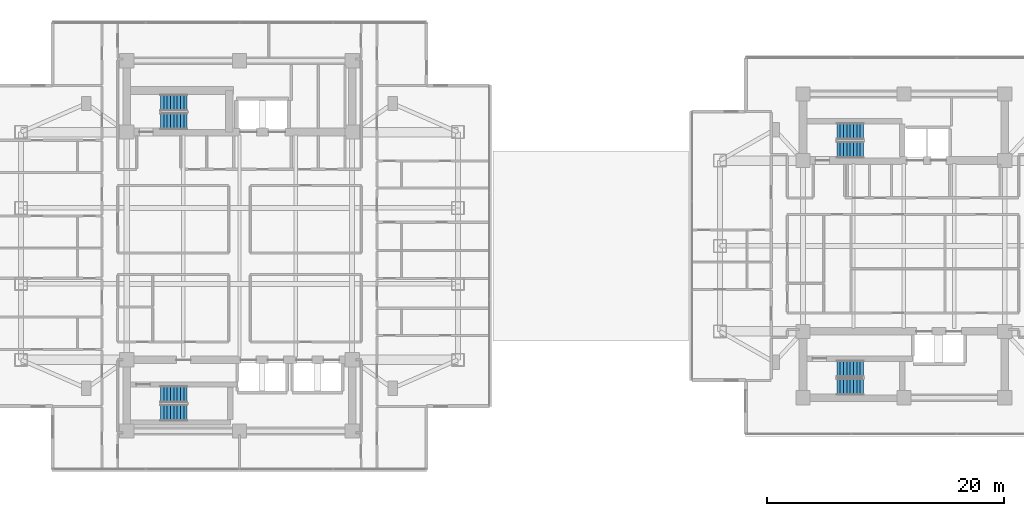
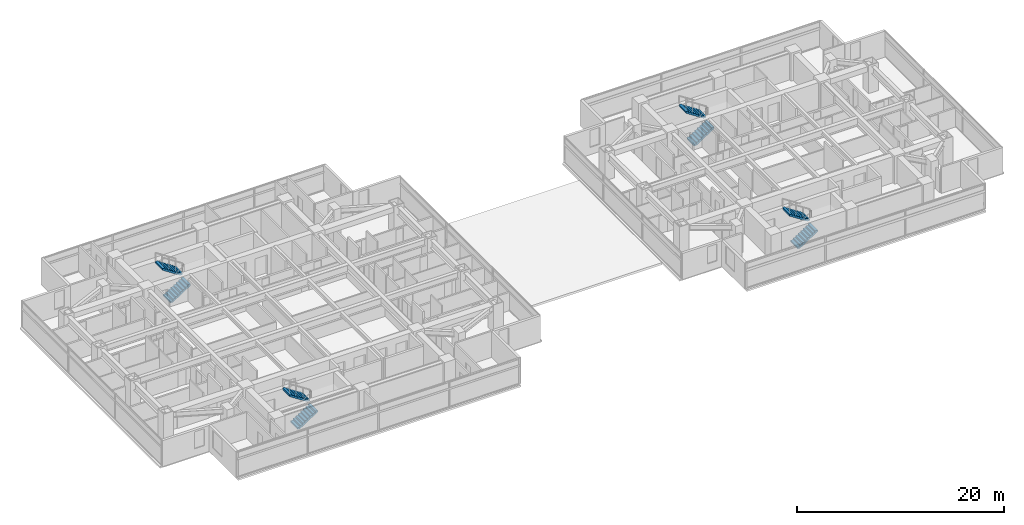
# One storey, part 20 of 26: 8 stair flights, 4 elements without a shape of their own.
"""IFC4 building model written with IfcOpenShell, lengths in metres."""

from ifc_helpers import new_model, si_unit, direction, frame, origin, place, context, subcontext, project, spatial, polyline, outline, extrude, material, type_object, element, aggregate, save


model = new_model("IFC4")

# Units and contexts
model_context = context("Model", 3, precision=1e-05, world=origin(), true_north=direction((0.0, 1.0)))
body_context = subcontext(model_context, "Body", "Model", "MODEL_VIEW")
ifc_project = project(units=[si_unit("LENGTHUNIT", "METRE"), si_unit("AREAUNIT", "SQUARE_METRE"), si_unit("VOLUMEUNIT", "CUBIC_METRE"), si_unit("PLANEANGLEUNIT", "RADIAN"), si_unit("MASSUNIT", "GRAM", prefix="KILO")], contexts=[model_context])

# Site, building, storey
site_placement = place(None, origin())
site = spatial("IfcSite", under=ifc_project, at=site_placement, CompositionType="ELEMENT")
building_placement = place(site_placement, origin())
building = spatial("IfcBuilding", under=site, at=building_placement, Name="Mirazonda Arch Towers", CompositionType="ELEMENT")
storey_placement = place(building_placement, frame((0.0, 0.0, 98.300048828125)))
storey = spatial("IfcBuildingStorey", under=building, at=storey_placement, Name="L27", CompositionType="ELEMENT", Elevation=98.300048828125)

# Stair, stair flights
ifc_material = material(Name="Concrete C40/50", Category="concrete")
stair_type = type_object("IfcStairType", Name="STAIR-CORE-1400", PredefinedType="HALF_TURN_STAIR", material=ifc_material)
stair_1_placement = place(storey_placement, origin())
stair_1 = element("IfcStair", 1, at=stair_1_placement, inside=storey, type_object=stair_type, Name="L27 Protected Exit Stair ST-T1N", PredefinedType="HALF_TURN_STAIR")
stair_flight_type = type_object("IfcStairFlightType", Name="FLIGHT-1400", PredefinedType="STRAIGHT", material=ifc_material)
stair_flight_1_placement = place(storey_placement, frame((13.85009765625, 38.52001953125, 0.0), z_axis=(0.0, 0.0, 1.0), x_axis=(1.0, 0.0, 0.0)))
stair_flight_1 = element("IfcStairFlight", 2, at=stair_flight_1_placement, type_object=stair_flight_type, Name="ST-T1N flight 1", NumberOfRisers=9, NumberOfTreads=8, PredefinedType="STRAIGHT", RiserHeight=0.183333333, TreadLength=0.28, context=body_context, shape_type="SweptSolid", body=[
    extrude(outline(polyline([(0.0, 0.0), (0.0, 0.183349609375), (0.280029296875, 0.183349609375), (0.280029296875, 0.36669921875), (0.56005859375, 0.36669921875), (0.56005859375, 0.550048828125), (0.840087890625, 0.550048828125), (0.840087890625, 0.7333984375), (1.1201171875, 0.7333984375), (1.1201171875, 0.916748046875), (1.39990234375, 0.916748046875), (1.39990234375, 1.10009765625), (1.679931640625, 1.10009765625), (1.679931640625, 1.283447265625), (1.9599609375, 1.283447265625), (1.9599609375, 1.466552734375), (2.239990234375, 1.466552734375), (2.239990234375, 1.64990234375), (2.239990234375, 1.275634765625), (0.2919921875, 0.0), (0.0, 0.0)])), frame((0.0, 0.699951171875, 0.0), z_axis=(0.0, -1.0, 0.0), x_axis=(1.0, 0.0, 0.0)), (0.0, 0.0, 1.0), 1.39990234375),
])
stair_flight_2_placement = place(storey_placement, frame((16.090087890625, 40.06005859375, 1.64990234375), z_axis=(0.0, 0.0, 1.0), x_axis=(-1.0, 0.0, 0.0)))
stair_flight_2 = element("IfcStairFlight", 3, at=stair_flight_2_placement, type_object=stair_flight_type, Name="ST-T1N flight 2", NumberOfRisers=9, NumberOfTreads=8, PredefinedType="STRAIGHT", RiserHeight=0.183333333, TreadLength=0.28, context=body_context, shape_type="SweptSolid", body=[
    extrude(outline(polyline([(0.0, 0.0), (0.0, 0.183349609375), (0.280029296875, 0.183349609375), (0.280029296875, 0.36669921875), (0.56005859375, 0.36669921875), (0.56005859375, 0.550048828125), (0.840087890625, 0.550048828125), (0.840087890625, 0.7333984375), (1.1201171875, 0.7333984375), (1.1201171875, 0.916748046875), (1.39990234375, 0.916748046875), (1.39990234375, 1.10009765625), (1.679931640625, 1.10009765625), (1.679931640625, 1.283447265625), (1.9599609375, 1.283447265625), (1.9599609375, 1.466552734375), (2.239990234375, 1.466552734375), (2.239990234375, 1.64990234375), (2.239990234375, 1.275634765625), (0.2919921875, 0.0), (0.0, 0.0)])), frame((0.0, 0.699951171875, 0.0), z_axis=(0.0, -1.0, 0.0), x_axis=(1.0, 0.0, 0.0)), (0.0, 0.0, 1.0), 1.39990234375),
])
aggregate(stair_1, [stair_flight_1, stair_flight_2])

stair_2_placement = place(storey_placement, origin())
stair_2 = element("IfcStair", 4, at=stair_2_placement, inside=storey, type_object=stair_type, Name="L27 Protected Exit Stair ST-T1S", PredefinedType="HALF_TURN_STAIR")
stair_flight_3_placement = place(storey_placement, frame((13.85009765625, 13.949951171875, 0.0), z_axis=(0.0, 0.0, 1.0), x_axis=(1.0, 0.0, 0.0)))
stair_flight_3 = element("IfcStairFlight", 5, at=stair_flight_3_placement, type_object=stair_flight_type, Name="ST-T1S flight 1", NumberOfRisers=9, NumberOfTreads=8, PredefinedType="STRAIGHT", RiserHeight=0.183333333, TreadLength=0.28, context=body_context, shape_type="SweptSolid", body=[
    extrude(outline(polyline([(0.0, 0.0), (0.0, 0.183349609375), (0.280029296875, 0.183349609375), (0.280029296875, 0.36669921875), (0.56005859375, 0.36669921875), (0.56005859375, 0.550048828125), (0.840087890625, 0.550048828125), (0.840087890625, 0.7333984375), (1.1201171875, 0.7333984375), (1.1201171875, 0.916748046875), (1.39990234375, 0.916748046875), (1.39990234375, 1.10009765625), (1.679931640625, 1.10009765625), (1.679931640625, 1.283447265625), (1.9599609375, 1.283447265625), (1.9599609375, 1.466552734375), (2.239990234375, 1.466552734375), (2.239990234375, 1.64990234375), (2.239990234375, 1.275634765625), (0.2919921875, 0.0), (0.0, 0.0)])), frame((0.0, 0.699951171875, 0.0), z_axis=(0.0, -1.0, 0.0), x_axis=(1.0, 0.0, 0.0)), (0.0, 0.0, 1.0), 1.39990234375),
])
stair_flight_4_placement = place(storey_placement, frame((16.090087890625, 15.489990234375, 1.64990234375), z_axis=(0.0, 0.0, 1.0), x_axis=(-1.0, 0.0, 0.0)))
stair_flight_4 = element("IfcStairFlight", 6, at=stair_flight_4_placement, type_object=stair_flight_type, Name="ST-T1S flight 2", NumberOfRisers=9, NumberOfTreads=8, PredefinedType="STRAIGHT", RiserHeight=0.183333333, TreadLength=0.28, context=body_context, shape_type="SweptSolid", body=[
    extrude(outline(polyline([(0.0, 0.0), (0.0, 0.183349609375), (0.280029296875, 0.183349609375), (0.280029296875, 0.36669921875), (0.56005859375, 0.36669921875), (0.56005859375, 0.550048828125), (0.840087890625, 0.550048828125), (0.840087890625, 0.7333984375), (1.1201171875, 0.7333984375), (1.1201171875, 0.916748046875), (1.39990234375, 0.916748046875), (1.39990234375, 1.10009765625), (1.679931640625, 1.10009765625), (1.679931640625, 1.283447265625), (1.9599609375, 1.283447265625), (1.9599609375, 1.466552734375), (2.239990234375, 1.466552734375), (2.239990234375, 1.64990234375), (2.239990234375, 1.275634765625), (0.2919921875, 0.0), (0.0, 0.0)])), frame((0.0, 0.699951171875, 0.0), z_axis=(0.0, -1.0, 0.0), x_axis=(1.0, 0.0, 0.0)), (0.0, 0.0, 1.0), 1.39990234375),
])
aggregate(stair_2, [stair_flight_3, stair_flight_4])

stair_3_placement = place(storey_placement, origin())
stair_3 = element("IfcStair", 7, at=stair_3_placement, inside=storey, type_object=stair_type, Name="L27 Protected Exit Stair ST-T2N", PredefinedType="HALF_TURN_STAIR")
stair_flight_5_placement = place(storey_placement, frame((70.85009765625, 36.1201171875, 0.0), z_axis=(0.0, 0.0, 1.0), x_axis=(1.0, 0.0, 0.0)))
stair_flight_5 = element("IfcStairFlight", 8, at=stair_flight_5_placement, type_object=stair_flight_type, Name="ST-T2N flight 1", NumberOfRisers=9, NumberOfTreads=8, PredefinedType="STRAIGHT", RiserHeight=0.183333333, TreadLength=0.28, context=body_context, shape_type="SweptSolid", body=[
    extrude(outline(polyline([(0.0, 0.0), (0.0, 0.183349609375), (0.280029296875, 0.183349609375), (0.280029296875, 0.36669921875), (0.56005859375, 0.36669921875), (0.56005859375, 0.550048828125), (0.840087890625, 0.550048828125), (0.840087890625, 0.7333984375), (1.1201171875, 0.7333984375), (1.1201171875, 0.916748046875), (1.39990234375, 0.916748046875), (1.39990234375, 1.10009765625), (1.679931640625, 1.10009765625), (1.679931640625, 1.283447265625), (1.9599609375, 1.283447265625), (1.9599609375, 1.466552734375), (2.239990234375, 1.466552734375), (2.239990234375, 1.64990234375), (2.239990234375, 1.275634765625), (0.2919921875, 0.0), (0.0, 0.0)])), frame((0.0, 0.699951171875, 0.0), z_axis=(0.0, -1.0, 0.0), x_axis=(1.0, 0.0, 0.0)), (0.0, 0.0, 1.0), 1.39990234375),
])
stair_flight_6_placement = place(storey_placement, frame((73.090087890625, 37.659912109375, 1.64990234375), z_axis=(0.0, 0.0, 1.0), x_axis=(-1.0, 0.0, 0.0)))
stair_flight_6 = element("IfcStairFlight", 9, at=stair_flight_6_placement, type_object=stair_flight_type, Name="ST-T2N flight 2", NumberOfRisers=9, NumberOfTreads=8, PredefinedType="STRAIGHT", RiserHeight=0.183333333, TreadLength=0.28, context=body_context, shape_type="SweptSolid", body=[
    extrude(outline(polyline([(0.0, 0.0), (0.0, 0.183349609375), (0.280029296875, 0.183349609375), (0.280029296875, 0.36669921875), (0.56005859375, 0.36669921875), (0.56005859375, 0.550048828125), (0.840087890625, 0.550048828125), (0.840087890625, 0.7333984375), (1.1201171875, 0.7333984375), (1.1201171875, 0.916748046875), (1.39990234375, 0.916748046875), (1.39990234375, 1.10009765625), (1.679931640625, 1.10009765625), (1.679931640625, 1.283447265625), (1.9599609375, 1.283447265625), (1.9599609375, 1.466552734375), (2.239990234375, 1.466552734375), (2.239990234375, 1.64990234375), (2.239990234375, 1.275634765625), (0.2919921875, 0.0), (0.0, 0.0)])), frame((0.0, 0.699951171875, 0.0), z_axis=(0.0, -1.0, 0.0), x_axis=(1.0, 0.0, 0.0)), (0.0, 0.0, 1.0), 1.39990234375),
])
aggregate(stair_3, [stair_flight_5, stair_flight_6])

stair_4_placement = place(storey_placement, origin())
stair_4 = element("IfcStair", 10, at=stair_4_placement, inside=storey, type_object=stair_type, Name="L27 Protected Exit Stair ST-T2S", PredefinedType="HALF_TURN_STAIR")
stair_flight_7_placement = place(storey_placement, frame((70.85009765625, 16.1201171875, 0.0), z_axis=(0.0, 0.0, 1.0), x_axis=(1.0, 0.0, 0.0)))
stair_flight_7 = element("IfcStairFlight", 11, at=stair_flight_7_placement, type_object=stair_flight_type, Name="ST-T2S flight 1", NumberOfRisers=9, NumberOfTreads=8, PredefinedType="STRAIGHT", RiserHeight=0.183333333, TreadLength=0.28, context=body_context, shape_type="SweptSolid", body=[
    extrude(outline(polyline([(0.0, 0.0), (0.0, 0.183349609375), (0.280029296875, 0.183349609375), (0.280029296875, 0.36669921875), (0.56005859375, 0.36669921875), (0.56005859375, 0.550048828125), (0.840087890625, 0.550048828125), (0.840087890625, 0.7333984375), (1.1201171875, 0.7333984375), (1.1201171875, 0.916748046875), (1.39990234375, 0.916748046875), (1.39990234375, 1.10009765625), (1.679931640625, 1.10009765625), (1.679931640625, 1.283447265625), (1.9599609375, 1.283447265625), (1.9599609375, 1.466552734375), (2.239990234375, 1.466552734375), (2.239990234375, 1.64990234375), (2.239990234375, 1.275634765625), (0.2919921875, 0.0), (0.0, 0.0)])), frame((0.0, 0.699951171875, 0.0), z_axis=(0.0, -1.0, 0.0), x_axis=(1.0, 0.0, 0.0)), (0.0, 0.0, 1.0), 1.39990234375),
])
stair_flight_8_placement = place(storey_placement, frame((73.090087890625, 17.659912109375, 1.64990234375), z_axis=(0.0, 0.0, 1.0), x_axis=(-1.0, 0.0, 0.0)))
stair_flight_8 = element("IfcStairFlight", 12, at=stair_flight_8_placement, type_object=stair_flight_type, Name="ST-T2S flight 2", NumberOfRisers=9, NumberOfTreads=8, PredefinedType="STRAIGHT", RiserHeight=0.183333333, TreadLength=0.28, context=body_context, shape_type="SweptSolid", body=[
    extrude(outline(polyline([(0.0, 0.0), (0.0, 0.183349609375), (0.280029296875, 0.183349609375), (0.280029296875, 0.36669921875), (0.56005859375, 0.36669921875), (0.56005859375, 0.550048828125), (0.840087890625, 0.550048828125), (0.840087890625, 0.7333984375), (1.1201171875, 0.7333984375), (1.1201171875, 0.916748046875), (1.39990234375, 0.916748046875), (1.39990234375, 1.10009765625), (1.679931640625, 1.10009765625), (1.679931640625, 1.283447265625), (1.9599609375, 1.283447265625), (1.9599609375, 1.466552734375), (2.239990234375, 1.466552734375), (2.239990234375, 1.64990234375), (2.239990234375, 1.275634765625), (0.2919921875, 0.0), (0.0, 0.0)])), frame((0.0, 0.699951171875, 0.0), z_axis=(0.0, -1.0, 0.0), x_axis=(1.0, 0.0, 0.0)), (0.0, 0.0, 1.0), 1.39990234375),
])
aggregate(stair_4, [stair_flight_7, stair_flight_8])

save(model, "model.ifc")
